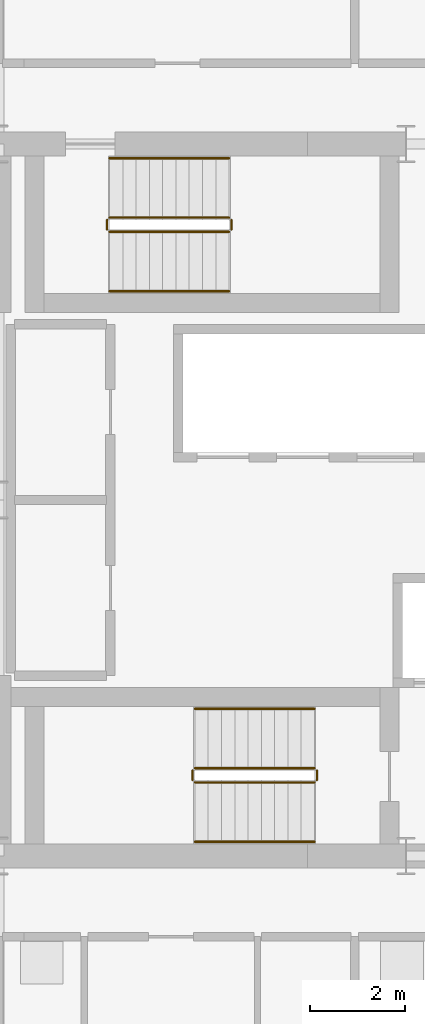
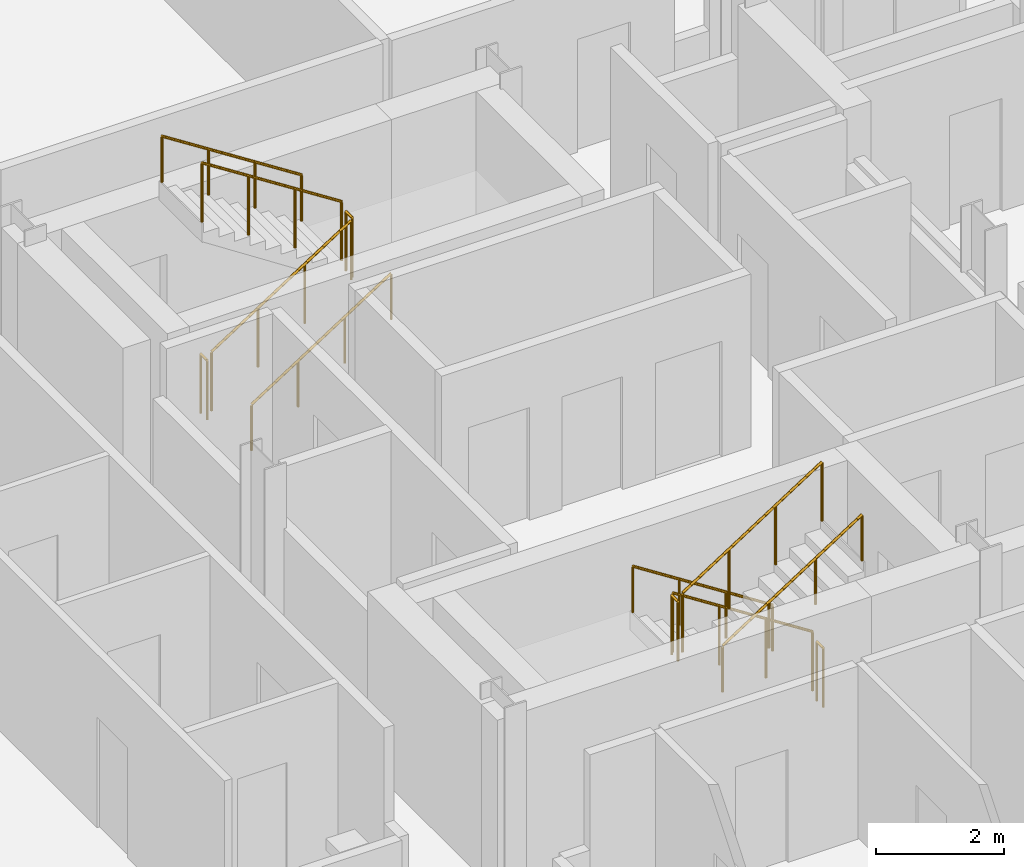
# One storey, part 24 of 25: 12 railings.
"""IFC4 building model written with IfcOpenShell, lengths in metres."""

from ifc_helpers import new_model, si_unit, direction, frame, origin, origin_2d, place, context, subcontext, project, spatial, circle, extrude, material, type_object, element, save


model = new_model("IFC4")

# Units and contexts
model_context = context("Model", 3, precision=1e-05, world=origin(), true_north=direction((0.0, 1.0)))
body_context = subcontext(model_context, "Body", "Model", "MODEL_VIEW")
ifc_project = project(units=[si_unit("LENGTHUNIT", "METRE"), si_unit("AREAUNIT", "SQUARE_METRE"), si_unit("VOLUMEUNIT", "CUBIC_METRE"), si_unit("PLANEANGLEUNIT", "RADIAN"), si_unit("MASSUNIT", "GRAM", prefix="KILO")], contexts=[model_context])

# Site, building, storey
site_placement = place(None, origin())
site = spatial("IfcSite", under=ifc_project, at=site_placement, CompositionType="ELEMENT")
building_placement = place(site_placement, origin())
building = spatial("IfcBuilding", under=site, at=building_placement, Name="Barlavira Tower and Art Museum", CompositionType="ELEMENT")
storey_placement = place(building_placement, frame((0.0, 0.0, 301.5)))
storey = spatial("IfcBuildingStorey", under=building, at=storey_placement, Name="L79", CompositionType="ELEMENT", Elevation=301.5)

# Railings
ifc_material = material(Name="Brushed stainless steel", Category="steel")
railing_type_1 = type_object("IfcRailingType", Name="Interior Void and Landing Guard Railing 1150", PredefinedType="GUARDRAIL", material=ifc_material)
railing_1_placement = place(storey_placement, frame((0.14990234375, -5.64990234375, 0.179931640625)))
element("IfcRailing", 1, at=railing_1_placement, inside=storey, type_object=railing_type_1, Name="L79 ST-T1 stair guard 1", PredefinedType="GUARDRAIL", context=body_context, shape_type="SweptSolid", body=[
    extrude(circle(Radius=0.02392578125, at=origin_2d()), frame((0.0, 0.0, 1.1259765625), z_axis=(-0.841162588446, 0.0, 0.540782303519), x_axis=(0.0, -1.0, 0.0)), (0.0, 0.0, 1.0), 2.995849609375),
    extrude(circle(Radius=0.02099609375, at=origin_2d()), origin(), (0.0, 0.0, 1.0), 1.101806640625),
    extrude(circle(Radius=0.02099609375, at=origin_2d()), frame((-0.840087890625, 0.0, 0.5400390625)), (0.0, 0.0, 1.0), 1.101806640625),
    extrude(circle(Radius=0.02099609375, at=origin_2d()), frame((-1.679931640625, 0.0, 1.080078125)), (0.0, 0.0, 1.0), 1.101806640625),
    extrude(circle(Radius=0.02099609375, at=origin_2d()), frame((-2.52001953125, 0.0, 1.6201171875)), (0.0, 0.0, 1.0), 1.101806640625),
])
railing_2_placement = place(storey_placement, frame((-2.419921875, -5.699951171875, 1.800048828125)))
element("IfcRailing", 2, at=railing_2_placement, inside=storey, type_object=railing_type_1, Name="L79 ST-T1 stair guard 2", PredefinedType="GUARDRAIL", context=body_context, shape_type="SweptSolid", body=[
    extrude(circle(Radius=0.02392578125, at=origin_2d()), frame((0.0, 0.0, 1.1259765625), z_axis=(0.0, -1.0, 0.0), x_axis=(1.0, 0.0, 0.0)), (0.0, 0.0, 1.0), 0.199951171875),
    extrude(circle(Radius=0.02099609375, at=origin_2d()), origin(), (0.0, 0.0, 1.0), 1.101806640625),
    extrude(circle(Radius=0.02099609375, at=origin_2d()), frame((0.0, -0.199951171875, 0.0)), (0.0, 0.0, 1.0), 1.101806640625),
])
railing_3_placement = place(storey_placement, frame((-2.3701171875, -5.949951171875, 1.97998046875)))
element("IfcRailing", 3, at=railing_3_placement, inside=storey, type_object=railing_type_1, Name="L79 ST-T1 stair guard 3", PredefinedType="GUARDRAIL", context=body_context, shape_type="SweptSolid", body=[
    extrude(circle(Radius=0.02392578125, at=origin_2d()), frame((0.0, 0.0, 1.1259765625), z_axis=(0.841162588446, 0.0, 0.540782303519), x_axis=(0.0, 1.0, 0.0)), (0.0, 0.0, 1.0), 2.995849609375),
    extrude(circle(Radius=0.02099609375, at=origin_2d()), origin(), (0.0, 0.0, 1.0), 1.101806640625),
    extrude(circle(Radius=0.02099609375, at=origin_2d()), frame((0.840087890625, 0.0, 0.5400390625)), (0.0, 0.0, 1.0), 1.101806640625),
    extrude(circle(Radius=0.02099609375, at=origin_2d()), frame((1.679931640625, 0.0, 1.080078125)), (0.0, 0.0, 1.0), 1.101806640625),
    extrude(circle(Radius=0.02099609375, at=origin_2d()), frame((2.52001953125, 0.0, 1.6201171875)), (0.0, 0.0, 1.0), 1.101806640625),
])
railing_4_placement = place(storey_placement, frame((0.199951171875, -5.699951171875, 0.0)))
element("IfcRailing", 4, at=railing_4_placement, inside=storey, type_object=railing_type_1, Name="L79 ST-T1 stair guard 4", PredefinedType="GUARDRAIL", context=body_context, shape_type="SweptSolid", body=[
    extrude(circle(Radius=0.02392578125, at=origin_2d()), frame((0.0, 0.0, 1.1259765625), z_axis=(0.0, -1.0, 0.0), x_axis=(1.0, 0.0, 0.0)), (0.0, 0.0, 1.0), 0.199951171875),
    extrude(circle(Radius=0.02099609375, at=origin_2d()), origin(), (0.0, 0.0, 1.0), 1.101806640625),
    extrude(circle(Radius=0.02099609375, at=origin_2d()), frame((0.0, -0.199951171875, 0.0)), (0.0, 0.0, 1.0), 1.101806640625),
])
railing_5_placement = place(storey_placement, frame((-4.169921875, 5.64990234375, 0.179931640625)))
element("IfcRailing", 5, at=railing_5_placement, inside=storey, type_object=railing_type_1, Name="L79 ST-T2 stair guard 1", PredefinedType="GUARDRAIL", context=body_context, shape_type="SweptSolid", body=[
    extrude(circle(Radius=0.02392578125, at=origin_2d()), frame((0.0, 0.0, 1.1259765625), z_axis=(0.841162588446, 0.0, 0.540782303519), x_axis=(0.0, 1.0, 0.0)), (0.0, 0.0, 1.0), 2.995849609375),
    extrude(circle(Radius=0.02099609375, at=origin_2d()), origin(), (0.0, 0.0, 1.0), 1.101806640625),
    extrude(circle(Radius=0.02099609375, at=origin_2d()), frame((0.840087890625, 0.0, 0.5400390625)), (0.0, 0.0, 1.0), 1.101806640625),
    extrude(circle(Radius=0.02099609375, at=origin_2d()), frame((1.679931640625, 0.0, 1.080078125)), (0.0, 0.0, 1.0), 1.101806640625),
    extrude(circle(Radius=0.02099609375, at=origin_2d()), frame((2.52001953125, 0.0, 1.6201171875)), (0.0, 0.0, 1.0), 1.101806640625),
])
railing_6_placement = place(storey_placement, frame((-1.60009765625, 5.699951171875, 1.800048828125)))
element("IfcRailing", 6, at=railing_6_placement, inside=storey, type_object=railing_type_1, Name="L79 ST-T2 stair guard 2", PredefinedType="GUARDRAIL", context=body_context, shape_type="SweptSolid", body=[
    extrude(circle(Radius=0.02392578125, at=origin_2d()), frame((0.0, 0.0, 1.1259765625), z_axis=(0.0, 1.0, 0.0), x_axis=(-1.0, 0.0, 0.0)), (0.0, 0.0, 1.0), 0.199951171875),
    extrude(circle(Radius=0.02099609375, at=origin_2d()), origin(), (0.0, 0.0, 1.0), 1.101806640625),
    extrude(circle(Radius=0.02099609375, at=origin_2d()), frame((0.0, 0.199951171875, 0.0)), (0.0, 0.0, 1.0), 1.101806640625),
])
railing_7_placement = place(storey_placement, frame((-1.64990234375, 5.949951171875, 1.97998046875)))
element("IfcRailing", 7, at=railing_7_placement, inside=storey, type_object=railing_type_1, Name="L79 ST-T2 stair guard 3", PredefinedType="GUARDRAIL", context=body_context, shape_type="SweptSolid", body=[
    extrude(circle(Radius=0.02392578125, at=origin_2d()), frame((0.0, 0.0, 1.1259765625), z_axis=(-0.841162588446, 0.0, 0.540782303519), x_axis=(0.0, -1.0, 0.0)), (0.0, 0.0, 1.0), 2.995849609375),
    extrude(circle(Radius=0.02099609375, at=origin_2d()), origin(), (0.0, 0.0, 1.0), 1.101806640625),
    extrude(circle(Radius=0.02099609375, at=origin_2d()), frame((-0.840087890625, 0.0, 0.5400390625)), (0.0, 0.0, 1.0), 1.101806640625),
    extrude(circle(Radius=0.02099609375, at=origin_2d()), frame((-1.679931640625, 0.0, 1.080078125)), (0.0, 0.0, 1.0), 1.101806640625),
    extrude(circle(Radius=0.02099609375, at=origin_2d()), frame((-2.52001953125, 0.0, 1.6201171875)), (0.0, 0.0, 1.0), 1.101806640625),
])
railing_8_placement = place(storey_placement, frame((-4.219970703125, 5.699951171875, 0.0)))
element("IfcRailing", 8, at=railing_8_placement, inside=storey, type_object=railing_type_1, Name="L79 ST-T2 stair guard 4", PredefinedType="GUARDRAIL", context=body_context, shape_type="SweptSolid", body=[
    extrude(circle(Radius=0.02392578125, at=origin_2d()), frame((0.0, 0.0, 1.1259765625), z_axis=(0.0, 1.0, 0.0), x_axis=(-1.0, 0.0, 0.0)), (0.0, 0.0, 1.0), 0.199951171875),
    extrude(circle(Radius=0.02099609375, at=origin_2d()), origin(), (0.0, 0.0, 1.0), 1.101806640625),
    extrude(circle(Radius=0.02099609375, at=origin_2d()), frame((0.0, 0.199951171875, 0.0)), (0.0, 0.0, 1.0), 1.101806640625),
])
railing_type_2 = type_object("IfcRailingType", Name="Stair Pitch Tubular Steel Handrail 920", PredefinedType="HANDRAIL", material=ifc_material)
railing_9_placement = place(storey_placement, frame((0.14990234375, -4.39990234375, 0.179931640625)))
element("IfcRailing", 9, at=railing_9_placement, inside=storey, type_object=railing_type_2, Name="L79 ST-T1 stair handrail 1", PredefinedType="HANDRAIL", context=body_context, shape_type="SweptSolid", body=[
    extrude(circle(Radius=0.02392578125, at=origin_2d()), frame((0.0, 0.0, 0.8759765625), z_axis=(-0.841162588446, 0.0, 0.540782303519), x_axis=(0.0, -1.0, 0.0)), (0.0, 0.0, 1.0), 2.995849609375),
    extrude(circle(Radius=0.02099609375, at=origin_2d()), origin(), (0.0, 0.0, 1.0), 0.851806640625),
    extrude(circle(Radius=0.02099609375, at=origin_2d()), frame((-0.840087890625, 0.0, 0.5400390625)), (0.0, 0.0, 1.0), 0.851806640625),
    extrude(circle(Radius=0.02099609375, at=origin_2d()), frame((-1.679931640625, 0.0, 1.080078125)), (0.0, 0.0, 1.0), 0.851806640625),
    extrude(circle(Radius=0.02099609375, at=origin_2d()), frame((-2.52001953125, 0.0, 1.6201171875)), (0.0, 0.0, 1.0), 0.851806640625),
])
for number, where, name in (
    (10, (-2.3701171875, -7.199951171875, 1.97998046875), "L79 ST-T1 stair handrail 2"),
    (11, (-4.169921875, 4.39990234375, 0.179931640625), "L79 ST-T2 stair handrail 1"),
):
    element("IfcRailing", number, at=place(storey_placement, frame(where)), inside=storey, type_object=railing_type_2, Name=name, PredefinedType="HANDRAIL", context=body_context, shape_type="SweptSolid", body=[
        extrude(circle(Radius=0.02392578125, at=origin_2d()), frame((0.0, 0.0, 0.8759765625), z_axis=(0.841162588446, 0.0, 0.540782303519), x_axis=(0.0, 1.0, 0.0)), (0.0, 0.0, 1.0), 2.995849609375),
        extrude(circle(Radius=0.02099609375, at=origin_2d()), origin(), (0.0, 0.0, 1.0), 0.851806640625),
        extrude(circle(Radius=0.02099609375, at=origin_2d()), frame((0.840087890625, 0.0, 0.5400390625)), (0.0, 0.0, 1.0), 0.851806640625),
        extrude(circle(Radius=0.02099609375, at=origin_2d()), frame((1.679931640625, 0.0, 1.080078125)), (0.0, 0.0, 1.0), 0.851806640625),
        extrude(circle(Radius=0.02099609375, at=origin_2d()), frame((2.52001953125, 0.0, 1.6201171875)), (0.0, 0.0, 1.0), 0.851806640625),
    ])
railing_10_placement = place(storey_placement, frame((-1.64990234375, 7.199951171875, 1.97998046875)))
element("IfcRailing", 12, at=railing_10_placement, inside=storey, type_object=railing_type_2, Name="L79 ST-T2 stair handrail 2", PredefinedType="HANDRAIL", context=body_context, shape_type="SweptSolid", body=[
    extrude(circle(Radius=0.02392578125, at=origin_2d()), frame((0.0, 0.0, 0.8759765625), z_axis=(-0.841162588446, 0.0, 0.540782303519), x_axis=(0.0, -1.0, 0.0)), (0.0, 0.0, 1.0), 2.995849609375),
    extrude(circle(Radius=0.02099609375, at=origin_2d()), origin(), (0.0, 0.0, 1.0), 0.851806640625),
    extrude(circle(Radius=0.02099609375, at=origin_2d()), frame((-0.840087890625, 0.0, 0.5400390625)), (0.0, 0.0, 1.0), 0.851806640625),
    extrude(circle(Radius=0.02099609375, at=origin_2d()), frame((-1.679931640625, 0.0, 1.080078125)), (0.0, 0.0, 1.0), 0.851806640625),
    extrude(circle(Radius=0.02099609375, at=origin_2d()), frame((-2.52001953125, 0.0, 1.6201171875)), (0.0, 0.0, 1.0), 0.851806640625),
])

save(model, "model.ifc")
